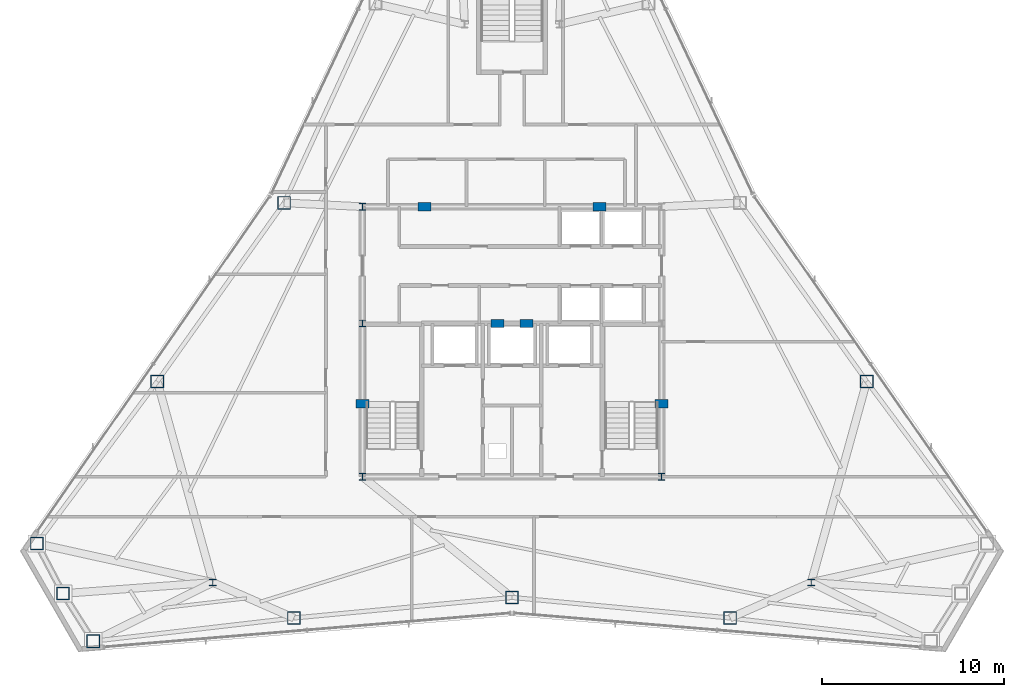
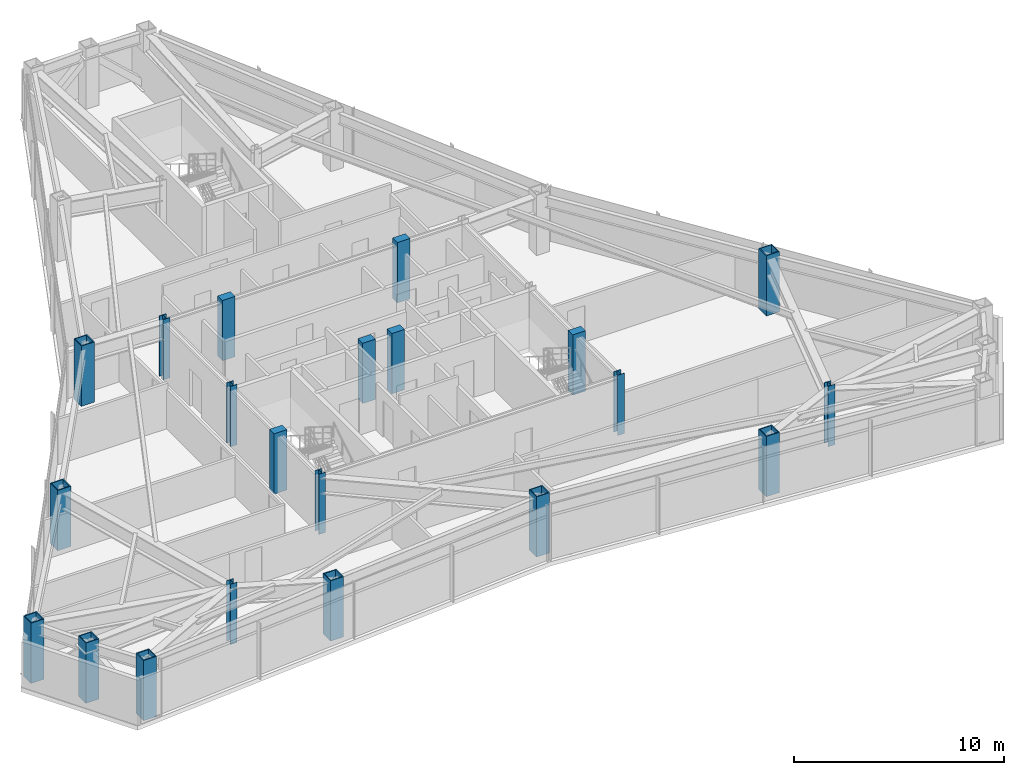
# One storey, part 1 of 12: 21 columns.
"""IFC4 building model written with IfcOpenShell, lengths in metres."""

from ifc_helpers import new_model, si_unit, direction, frame, origin, origin_2d, place, context, subcontext, project, spatial, rectangle, hollow_rectangle, i_section, extrude, material, material_profile, profile_set, type_object, element, save


model = new_model("IFC4")

# Units and contexts
model_context = context("Model", 3, precision=1e-05, world=origin(), true_north=direction((0.0, 1.0)))
body_context = subcontext(model_context, "Body", "Model", "MODEL_VIEW")
ifc_project = project(units=[si_unit("LENGTHUNIT", "METRE"), si_unit("AREAUNIT", "SQUARE_METRE"), si_unit("VOLUMEUNIT", "CUBIC_METRE"), si_unit("PLANEANGLEUNIT", "RADIAN"), si_unit("MASSUNIT", "GRAM", prefix="KILO")], contexts=[model_context])

# Site, building, storey
site_placement = place(None, origin())
site = spatial("IfcSite", under=ifc_project, at=site_placement, CompositionType="ELEMENT")
building_placement = place(site_placement, origin())
building = spatial("IfcBuilding", under=site, at=building_placement, Name="Varakhsha Concourse Tower", CompositionType="ELEMENT")
storey_placement = place(building_placement, frame((0.0, 0.0, 225.89990234375)))
storey = spatial("IfcBuildingStorey", under=building, at=storey_placement, Name="L64", CompositionType="ELEMENT", Elevation=225.89990234375)

# Columns
ifc_material_1 = material(Name="Structural Steel ASTM A992 Grade 50", Category="steel")
ifc_material_profile_1 = material_profile(ifc_material_1, i_section(OverallWidth=0.3740234375, OverallDepth=0.3720703125, WebThickness=0.01611328125, FlangeThickness=0.02587890625, at=origin_2d()), Name="W14X132")
ifc_profile_set_1 = profile_set([ifc_material_profile_1], Name="Structural Steel ASTM A992 Grade 50")
column_type_1 = type_object("IfcColumnType", Name="CL-CORE-W14X132", PredefinedType="COLUMN", material=ifc_profile_set_1)
for number, where, z_axis, x_axis, name in (
    (1, (31.800048828125, 16.39990234375, 0.0), (0.0, 0.0, 1.0), (1.0, 0.0, 0.0), "L64 Core Column CC-SW"),
    (2, (48.199951171875, 16.39990234375, 0.0), (0.0, 0.0, 1.0), (1.0, 0.0, 0.0), "L64 Core Column CC-SE"),
    (3, (31.800048828125, 24.800048828125, 0.0), (0.0, 0.0, 1.0), (1.0, 0.0, 0.0), "L64 Core Column CC-MW"),
    (4, (31.800048828125, 31.199951171875, 0.0), (0.0, 0.0, 1.0), (1.0, 0.0, 0.0), "L64 Core Column CC-NW"),
    (5, (23.60009765625, 10.60009765625, 0.0), (0.0, 0.0, 1.0), (1.0, 0.0, 0.0), "L64 Core Column SS-W"),
    (6, (56.39990234375, 10.60009765625, 0.0), (0.0, 0.0, 1.0), (1.0, 0.0, 0.0), "L64 Core Column SS-E"),
):
    element("IfcColumn", number, at=place(storey_placement, frame(where, z_axis=z_axis, x_axis=x_axis)), inside=storey, type_object=column_type_1, Name=name, PredefinedType="COLUMN", context=body_context, shape_type="SweptSolid", body=[
        extrude(i_section(OverallWidth=0.3740234375, OverallDepth=0.3720703125, WebThickness=0.01611328125, FlangeThickness=0.02587890625, at=origin_2d()), origin(), (0.0, 0.0, 1.0), 3.5),
    ])
ifc_material_2 = material(Name="Concrete fc 65 MPa", Category="concrete")
ifc_material_profile_2 = material_profile(ifc_material_2, rectangle(XDim=0.699951171875, YDim=0.449951171875, at=origin_2d()), Name="RC 700x450")
ifc_profile_set_2 = profile_set([ifc_material_profile_2], Name="Concrete fc 65 MPa")
column_type_2 = type_object("IfcColumnType", Name="CL-PIL-700X450", PredefinedType="PILASTER", material=ifc_profile_set_2)
for number, where, z_axis, x_axis, name in (
    (7, (31.800048828125, 20.39990234375, 0.0), (0.0, 0.0, 1.0), (1.0, 0.0, 0.0), "L64 Core Boundary Pilaster PIL-W1"),
    (8, (48.199951171875, 20.39990234375, 0.0), (0.0, 0.0, 1.0), (1.0, 0.0, 0.0), "L64 Core Boundary Pilaster PIL-E1"),
    (9, (35.199951171875, 31.199951171875, 0.0), (0.0, 0.0, 1.0), (1.0, 0.0, 0.0), "L64 Core Boundary Pilaster PIL-N1"),
    (10, (44.800048828125, 31.199951171875, 0.0), (0.0, 0.0, 1.0), (1.0, 0.0, 0.0), "L64 Core Boundary Pilaster PIL-N2"),
    (11, (39.199951171875, 24.800048828125, 0.0), (0.0, 0.0, 1.0), (1.0, 0.0, 0.0), "L64 Core Boundary Pilaster PIL-M1"),
    (12, (40.800048828125, 24.800048828125, 0.0), (0.0, 0.0, 1.0), (1.0, 0.0, 0.0), "L64 Core Boundary Pilaster PIL-M2"),
):
    element("IfcColumn", number, at=place(storey_placement, frame(where, z_axis=z_axis, x_axis=x_axis)), inside=storey, type_object=column_type_2, Name=name, PredefinedType="PILASTER", context=body_context, shape_type="SweptSolid", body=[
        extrude(rectangle(XDim=0.699951171875, YDim=0.449951171875, at=origin_2d()), origin(), (0.0, 0.0, 1.0), 3.5),
    ])
ifc_material_3 = material(Name="Structural Steel ASTM A572 Grade 50", Category="steel")
ifc_material_profile_3 = material_profile(ifc_material_3, hollow_rectangle(XDim=0.719970703125, YDim=0.719970703125, WallThickness=0.050048828125, at=origin_2d()), Name="BOX 720x720x50")
ifc_profile_set_3 = profile_set([ifc_material_profile_3], Name="Structural Steel ASTM A572 Grade 50")
column_type_3 = type_object("IfcColumnType", Name="CL-TUBE-720", PredefinedType="COLUMN", material=ifc_profile_set_3)
for number, where, z_axis, x_axis, name in (
    (13, (27.510009765625, 31.4111328125, 0.0), (0.0, 0.0, 1.0), (1.0, 0.0, 0.0), "L64 Framed-Tube Column TC05"),
    (14, (20.553466796875, 21.617919921875, 0.0), (0.0, 0.0, 1.0), (1.0, 0.0, 0.0), "L64 Framed-Tube Column TC06"),
    (15, (13.953857421875, 12.73046875, 0.0), (0.0, 0.0, 1.0), (1.0, 0.0, 0.0), "L64 Framed-Tube Column TC07"),
    (16, (15.389892578125, 9.9912109375, 0.0), (0.0, 0.0, 1.0), (1.0, 0.0, 0.0), "L64 Framed-Tube Column TC08"),
    (17, (17.0439453125, 7.378173828125, 0.0), (0.0, 0.0, 1.0), (1.0, 0.0, 0.0), "L64 Framed-Tube Column TC09"),
    (18, (28.04052734375, 8.64990234375, 0.0), (0.0, 0.0, 1.0), (1.0, 0.0, 0.0), "L64 Framed-Tube Column TC10"),
    (19, (40.0, 9.77783203125, 0.0), (0.0, 0.0, 1.0), (1.0, 0.0, 0.0), "L64 Framed-Tube Column TC11"),
    (20, (51.95947265625, 8.64990234375, 0.0), (0.0, 0.0, 1.0), (1.0, 0.0, 0.0), "L64 Framed-Tube Column TC12"),
    (21, (59.446533203125, 21.617919921875, 0.0), (0.0, 0.0, 1.0), (1.0, 0.0, 0.0), "L64 Framed-Tube Column TC16"),
):
    element("IfcColumn", number, at=place(storey_placement, frame(where, z_axis=z_axis, x_axis=x_axis)), inside=storey, type_object=column_type_3, Name=name, PredefinedType="COLUMN", context=body_context, shape_type="SweptSolid", body=[
        extrude(hollow_rectangle(XDim=0.719970703125, YDim=0.719970703125, WallThickness=0.050048828125, at=origin_2d()), origin(), (0.0, 0.0, 1.0), 3.5),
    ])

save(model, "model.ifc")
